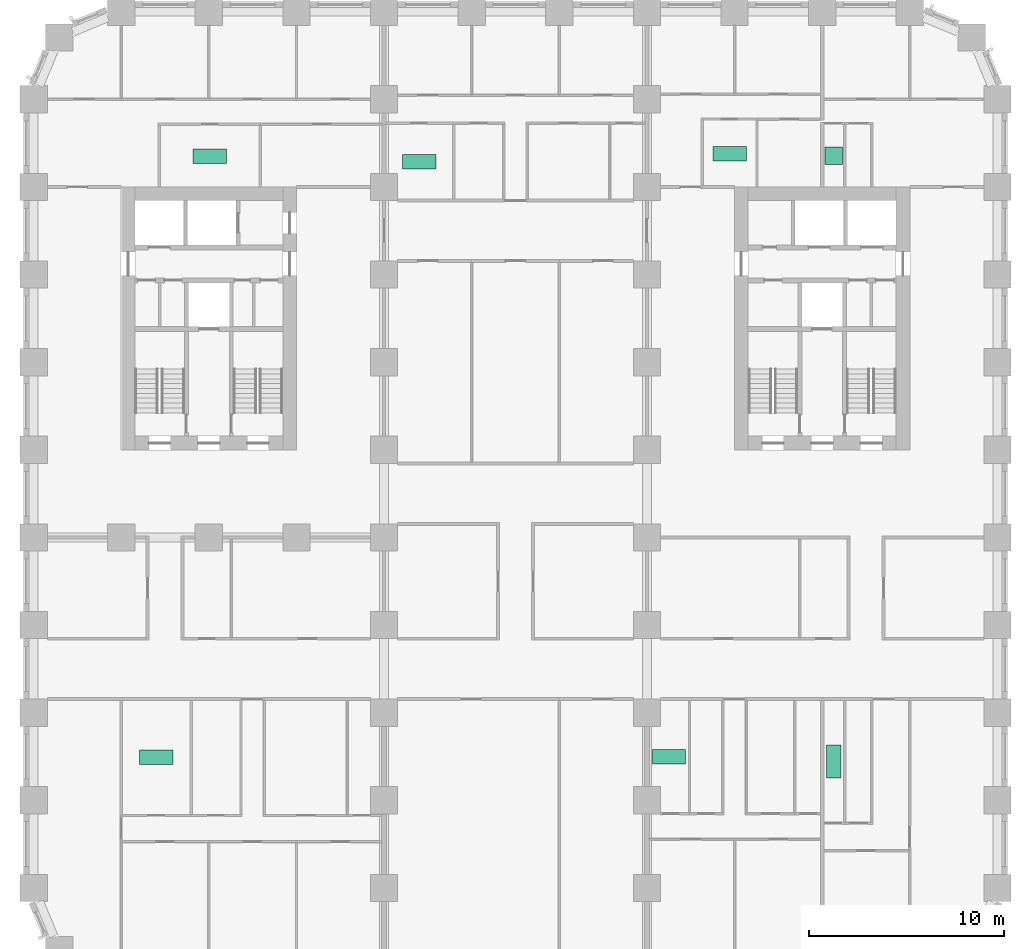
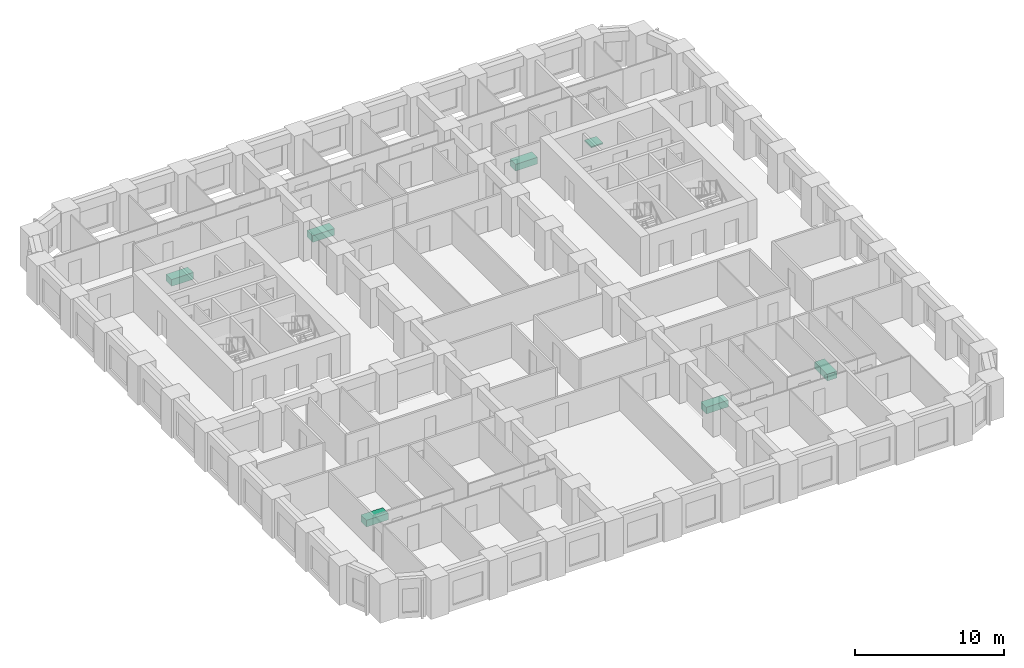
# One storey, part 13 of 13: 7 sanitary terminals.
"""IFC4 building model written with IfcOpenShell, lengths in metres."""

from ifc_helpers import new_model, si_unit, direction, frame, origin, origin_2d, place, context, subcontext, project, spatial, rectangle, extrude, material, type_object, element, save


model = new_model("IFC4")

# Units and contexts
model_context = context("Model", 3, precision=1e-05, world=origin(), true_north=direction((0.0, 1.0)))
body_context = subcontext(model_context, "Body", "Model", "MODEL_VIEW")
ifc_project = project(units=[si_unit("LENGTHUNIT", "METRE"), si_unit("AREAUNIT", "SQUARE_METRE"), si_unit("VOLUMEUNIT", "CUBIC_METRE"), si_unit("PLANEANGLEUNIT", "RADIAN"), si_unit("MASSUNIT", "GRAM", prefix="KILO")], contexts=[model_context])

# Site, building, storey
site_placement = place(None, origin())
site = spatial("IfcSite", under=ifc_project, at=site_placement, CompositionType="ELEMENT")
building_placement = place(site_placement, origin())
building = spatial("IfcBuilding", under=site, at=building_placement, Name="Girih Gate Residences", CompositionType="ELEMENT")
storey_placement = place(building_placement, frame((0.0, 0.0, 56.0)))
storey = spatial("IfcBuildingStorey", under=building, at=storey_placement, Name="L14", CompositionType="ELEMENT", Elevation=56.0)

# Sanitary terminals
ifc_material = material(Name="Acrylic")
sanitary_terminal_type_1 = type_object("IfcSanitaryTerminalType", Name="Bath 1700", PredefinedType="BATH", material=ifc_material)
for number, where, z_axis, x_axis, name in (
    (1, (6.300048828125, 11.2041015625, 0.0), (0.0, 0.0, 1.0), (1.0, 0.0, 0.0), "Bath 1700 L14"),
    (2, (9.047119140625, 42.0791015625, 0.0), (0.0, 0.0, 1.0), (1.0, 0.0, 0.0), "Bath 1700 L14"),
):
    element("IfcSanitaryTerminal", number, at=place(storey_placement, frame(where, z_axis=z_axis, x_axis=x_axis)), inside=storey, type_object=sanitary_terminal_type_1, Name=name, PredefinedType="BATH", context=body_context, shape_type="SweptSolid", body=[
        extrude(rectangle(XDim=1.699951171875, YDim=0.75, at=origin_2d()), origin(), (0.0, 0.0, 1.0), 0.550048828125),
    ])
sanitary_terminal_1_placement = place(storey_placement, frame((41.097900390625, 11.00390625, 0.0), z_axis=(0.0, 0.0, 1.0), x_axis=(1.0, 0.0, 0.0)))
element("IfcSanitaryTerminal", 3, at=sanitary_terminal_1_placement, inside=storey, type_object=sanitary_terminal_type_1, Name="Bath 1700 L14", PredefinedType="BATH", context=body_context, shape_type="SweptSolid", body=[
    extrude(rectangle(XDim=0.75, YDim=1.699951171875, at=origin_2d()), origin(), (0.0, 0.0, 1.0), 0.550048828125),
])
for number, where, z_axis, x_axis, name in (
    (4, (32.623046875, 11.243896484375, 0.0), (0.0, 0.0, 1.0), (1.0, 0.0, 0.0), "Bath 1700 L14"),
    (5, (35.75, 42.214111328125, 0.0), (0.0, 0.0, 1.0), (1.0, 0.0, 0.0), "Bath 1700 L14"),
    (6, (19.804931640625, 41.7958984375, 0.0), (0.0, 0.0, 1.0), (1.0, 0.0, 0.0), "Bath 1700 L14"),
):
    element("IfcSanitaryTerminal", number, at=place(storey_placement, frame(where, z_axis=z_axis, x_axis=x_axis)), inside=storey, type_object=sanitary_terminal_type_1, Name=name, PredefinedType="BATH", context=body_context, shape_type="SweptSolid", body=[
        extrude(rectangle(XDim=1.699951171875, YDim=0.75, at=origin_2d()), origin(), (0.0, 0.0, 1.0), 0.550048828125),
    ])
sanitary_terminal_type_2 = type_object("IfcSanitaryTerminalType", Name="Shower tray 900", PredefinedType="SHOWER", material=ifc_material)
sanitary_terminal_2_placement = place(storey_placement, frame((41.097900390625, 42.09912109375, 0.0), z_axis=(0.0, 0.0, 1.0), x_axis=(1.0, 0.0, 0.0)))
element("IfcSanitaryTerminal", 7, at=sanitary_terminal_2_placement, inside=storey, type_object=sanitary_terminal_type_2, Name="Shower tray 900 L14", PredefinedType="SHOWER", context=body_context, shape_type="SweptSolid", body=[
    extrude(rectangle(XDim=0.89990234375, YDim=0.89990234375, at=origin_2d()), origin(), (0.0, 0.0, 1.0), 0.10009765625),
])

save(model, "model.ifc")
